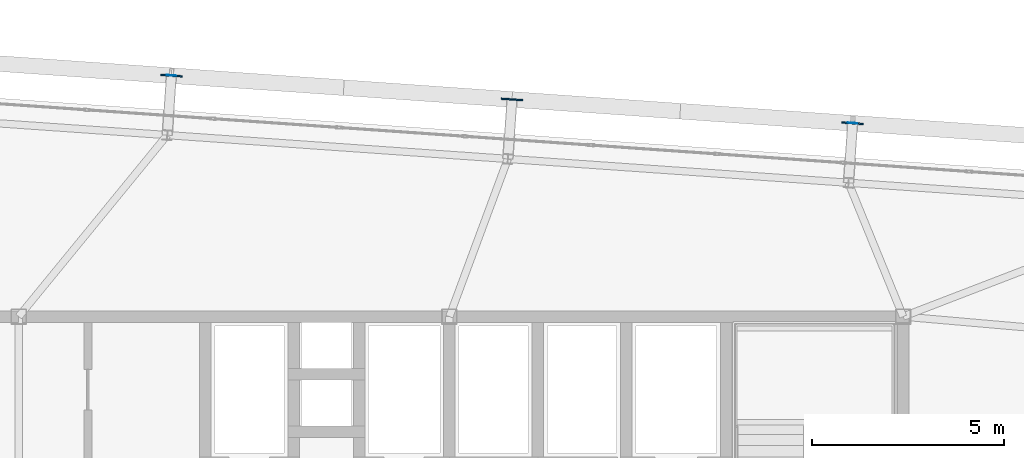
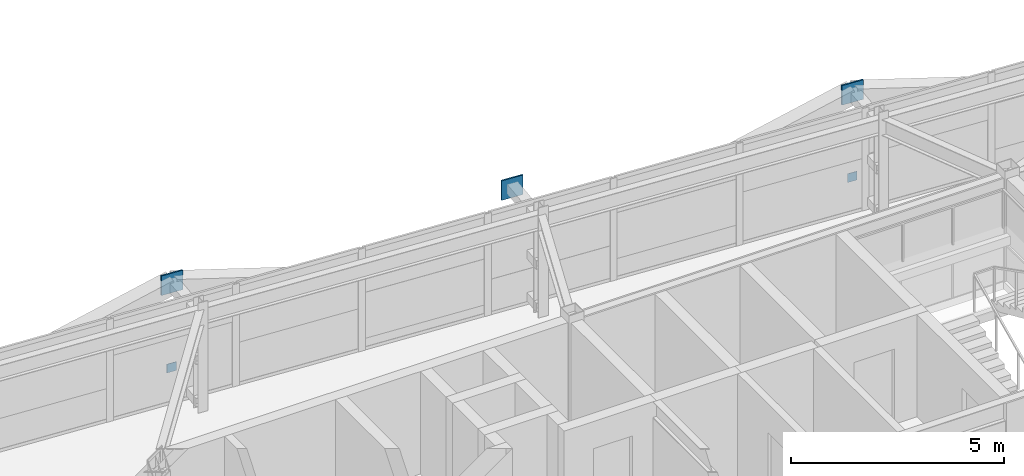
# One storey, part 39 of 47: 5 plates.
"""IFC4 building model written with IfcOpenShell, lengths in metres."""

from ifc_helpers import new_model, si_unit, direction, frame, origin, origin_2d, place, context, subcontext, project, spatial, rectangle, extrude, source, transform, mapped, material, layer, layer_set, type_object, element, save


model = new_model("IFC4")

# Units and contexts
model_context = context("Model", 3, precision=1e-05, world=origin(), true_north=direction((0.0, 1.0)))
body_context = subcontext(model_context, "Body", "Model", "MODEL_VIEW")
ifc_project = project(units=[si_unit("LENGTHUNIT", "METRE"), si_unit("AREAUNIT", "SQUARE_METRE"), si_unit("VOLUMEUNIT", "CUBIC_METRE"), si_unit("PLANEANGLEUNIT", "RADIAN"), si_unit("MASSUNIT", "GRAM", prefix="KILO")], contexts=[model_context])

# Site, building, storey
site_placement = place(None, origin())
site = spatial("IfcSite", under=ifc_project, at=site_placement, CompositionType="ELEMENT")
building_placement = place(site_placement, origin())
building = spatial("IfcBuilding", under=site, at=building_placement, Name="Taldren Reach Tower", CompositionType="ELEMENT")
storey_placement = place(building_placement, frame((0.0, 0.0, 142.449951171875)))
storey = spatial("IfcBuildingStorey", under=building, at=storey_placement, Name="L43", CompositionType="ELEMENT", Elevation=142.449951171875)

# Plates
ifc_material_1 = material(Name="Steel Gr 450 (C450L0)", Category="steel")
ifc_layer_1 = layer(ifc_material_1, 0.0400390625)
ifc_layer_set_1 = layer_set([ifc_layer_1], Name="Steel Gr 450 (C450L0)")
plate_type_1 = type_object("IfcPlateType", Name="PL-GUSSET-40", PredefinedType="SHEET", material=ifc_layer_set_1)
shared_shape_1 = source(origin(), body_context, "Body", "SweptSolid", [
    extrude(rectangle(XDim=0.56005859375, YDim=0.0400390625, at=origin_2d()), origin(), (0.0, 0.0, 1.0), 0.56005859375),
])
for number, where, z_axis, x_axis, name in (
    (1, (31.969482421875, 38.26611328125, 2.3701171875), (0.0, 0.0, 1.0), (0.99756405026, -0.069756473744, 0.0), "Exoskeleton star-node gusset plate B3-N3 L43"),
    (2, (40.827880859375, 37.646728515625, 2.3701171875), (0.0, 0.0, 1.0), (0.99756405026, -0.069756473744, 0.0), "Exoskeleton star-node gusset plate B3-N4 L43"),
    (3, (49.686279296875, 37.02734375, 2.3701171875), (0.0, 0.0, 1.0), (0.99756405026, -0.069756473744, 0.0), "Exoskeleton star-node gusset plate B3-N5 L43"),
):
    element("IfcPlate", number, at=place(storey_placement, frame(where, z_axis=z_axis, x_axis=x_axis)), inside=storey, type_object=plate_type_1, Name=name, PredefinedType="SHEET", context=body_context, shape_type="MappedRepresentation", body=[
        mapped(shared_shape_1, transform((0.0, 0.0, 0.0), scale=1.0)),
    ])
ifc_material_2 = material(Name="Steel Gr 350 (C350L0)", Category="steel")
ifc_layer_2 = layer(ifc_material_2, 0.011962890625)
ifc_layer_set_2 = layer_set([ifc_layer_2], Name="Steel Gr 350 (C350L0)")
plate_type_2 = type_object("IfcPlateType", Name="PL-CAP-250", PredefinedType="SHEET", material=ifc_layer_set_2)
shared_shape_2 = source(origin(), body_context, "Body", "SweptSolid", [
    extrude(rectangle(XDim=0.25, YDim=0.011962890625, at=origin_2d()), origin(), (0.0, 0.0, 1.0), 0.25),
])
for number, where, z_axis, x_axis, name in (
    (4, (31.969970703125, 38.272216796875, 0.094970703125), (0.0, 0.0, 1.0), (0.99756405026, -0.069756473744, 0.0), "Tie strut end cap plate B3-N3 L43"),
    (5, (49.6865234375, 37.033203125, 0.094970703125), (0.0, 0.0, 1.0), (0.99756405026, -0.069756473744, 0.0), "Tie strut end cap plate B3-N5 L43"),
):
    element("IfcPlate", number, at=place(storey_placement, frame(where, z_axis=z_axis, x_axis=x_axis)), inside=storey, type_object=plate_type_2, Name=name, PredefinedType="SHEET", context=body_context, shape_type="MappedRepresentation", body=[
        mapped(shared_shape_2, transform((0.0, 0.0, 0.0), scale=1.0)),
    ])

save(model, "model.ifc")
